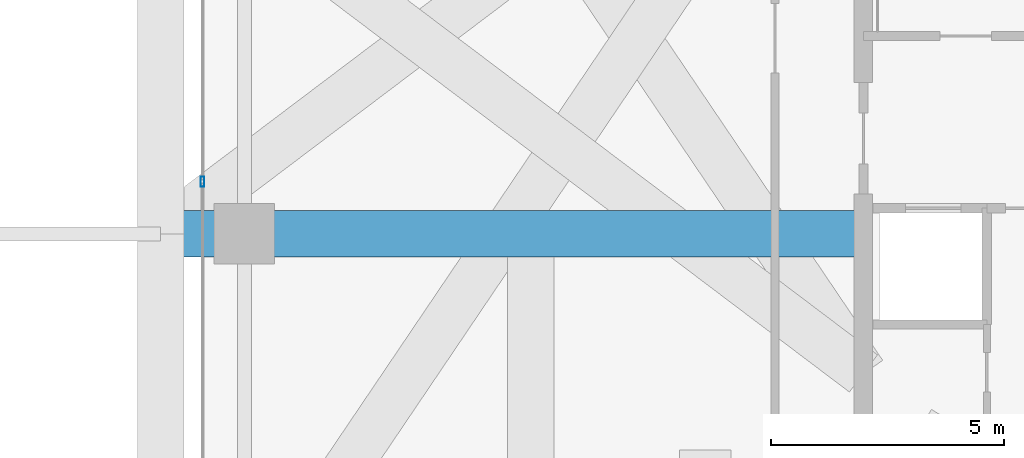
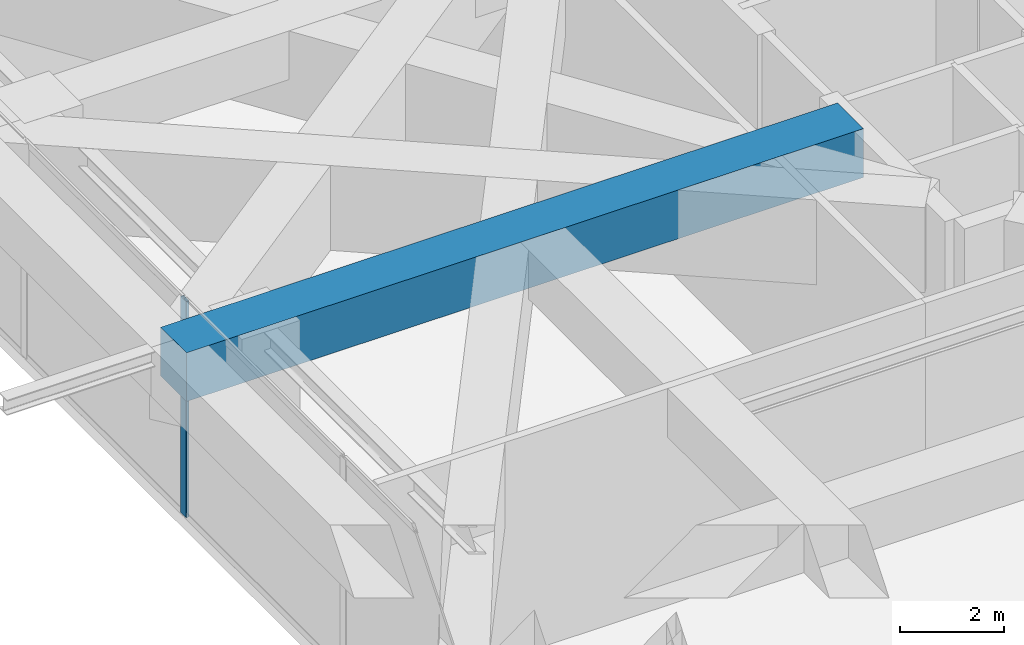
# One storey, part 7 of 38: 1 beam, 1 member, 1 element without a shape of its own.
"""IFC4 building model written with IfcOpenShell, lengths in metres."""

from ifc_helpers import new_model, si_unit, direction, frame, origin, origin_2d, place, context, subcontext, project, spatial, rectangle, hollow_rectangle, extrude, source, transform, mapped, material, layer, layer_set, material_profile, profile_set, type_object, element, aggregate, save


model = new_model("IFC4")

# Units and contexts
model_context = context("Model", 3, precision=1e-05, world=origin(), true_north=direction((0.0, 1.0)))
body_context = subcontext(model_context, "Body", "Model", "MODEL_VIEW")
ifc_project = project(units=[si_unit("LENGTHUNIT", "METRE"), si_unit("AREAUNIT", "SQUARE_METRE"), si_unit("VOLUMEUNIT", "CUBIC_METRE"), si_unit("PLANEANGLEUNIT", "RADIAN"), si_unit("MASSUNIT", "GRAM", prefix="KILO")], contexts=[model_context])

# Site, building, storey
site_placement = place(None, origin())
site = spatial("IfcSite", under=ifc_project, at=site_placement, CompositionType="ELEMENT")
building_placement = place(site_placement, origin())
building = spatial("IfcBuilding", under=site, at=building_placement, Name="Serunith Strait Residences", CompositionType="ELEMENT")
storey_placement = place(building_placement, frame((0.0, 0.0, 204.89990234375)))
storey = spatial("IfcBuildingStorey", under=building, at=storey_placement, Name="L51", CompositionType="ELEMENT", Elevation=204.89990234375)

# Beam
ifc_material_1 = material(Name="Concrete C80/95", Category="concrete")
ifc_material_profile_1 = material_profile(ifc_material_1, rectangle(XDim=1.0, YDim=1.14990234375, at=origin_2d()), Name="RC 1000x1150")
ifc_profile_set_1 = profile_set([ifc_material_profile_1], Name="Concrete C80/95")
beam_type = type_object("IfcBeamType", Name="BM-XFER-1000x1150", PredefinedType="BEAM", material=ifc_profile_set_1)
shared_shape_1 = source(origin(), body_context, "Body", "SweptSolid", [
    extrude(rectangle(XDim=1.0, YDim=1.14990234375, at=origin_2d()), origin(), (0.0, 0.0, 1.0), 15.099853515625),
])
beam_placement = place(storey_placement, frame((23.39990234375, 21.0, 4.53515625), z_axis=(-1.0, 0.0, 0.0), x_axis=(0.0, -1.0, 0.0)))
element("IfcBeam", 1, at=beam_placement, inside=storey, type_object=beam_type, Name="L51 Primary Floor Girder TC-W2", PredefinedType="BEAM", context=body_context, shape_type="MappedRepresentation", body=[
    mapped(shared_shape_1, transform((0.0, 0.0, 0.0), scale=1.0)),
])

# Curtain wall, member
ifc_material_2 = material(Name="Pale-Silver PVDF Aluminium", Category="aluminium")
ifc_layer = layer(ifc_material_2, 0.199951171875, Name="Pale-Silver PVDF Aluminium")
ifc_layer_set = layer_set([ifc_layer], Name="Pale-Silver PVDF Aluminium")
curtain_wall_type = type_object("IfcCurtainWallType", Name="CW-SYS3", PredefinedType="NOTDEFINED", material=ifc_layer_set)
curtain_wall_placement = place(storey_placement, origin())
curtain_wall = element("IfcCurtainWall", 2, at=curtain_wall_placement, inside=storey, type_object=curtain_wall_type, Name="L51 W Unitised Fritted Curtain Wall", PredefinedType="NOTDEFINED")
ifc_material_profile_2 = material_profile(ifc_material_2, hollow_rectangle(XDim=0.074951171875, YDim=0.219970703125, WallThickness=0.00390625, InnerFilletRadius=0.006103515625, OuterFilletRadius=0.010009765625, at=origin_2d()), Name="ALU 220x75x4")
ifc_profile_set_2 = profile_set([ifc_material_profile_2], Name="Pale-Silver PVDF Aluminium")
member_type = type_object("IfcMemberType", Name="CW-SYS3-MULL", PredefinedType="MULLION", material=ifc_profile_set_2)
shared_shape_2 = source(origin(), body_context, "Body", "SweptSolid", [
    extrude(hollow_rectangle(XDim=0.074951171875, YDim=0.219970703125, WallThickness=0.00390625, InnerFilletRadius=0.006103515625, OuterFilletRadius=0.010009765625, at=origin_2d()), origin(), (0.0, 0.0, 1.0), 5.09521484375),
])
member_placement = place(storey_placement, frame((9.199951171875, 22.1201171875, 0.0), z_axis=(0.0, 0.0, 1.0), x_axis=(1.0, 0.0, 0.0)))
member = element("IfcMember", 3, at=member_placement, type_object=member_type, Name="CW-3 mullion 4", PredefinedType="MULLION", context=body_context, shape_type="MappedRepresentation", body=[
    mapped(shared_shape_2, transform((0.0, 0.0, 0.0), scale=1.0)),
])
aggregate(curtain_wall, [member])

save(model, "model.ifc")
